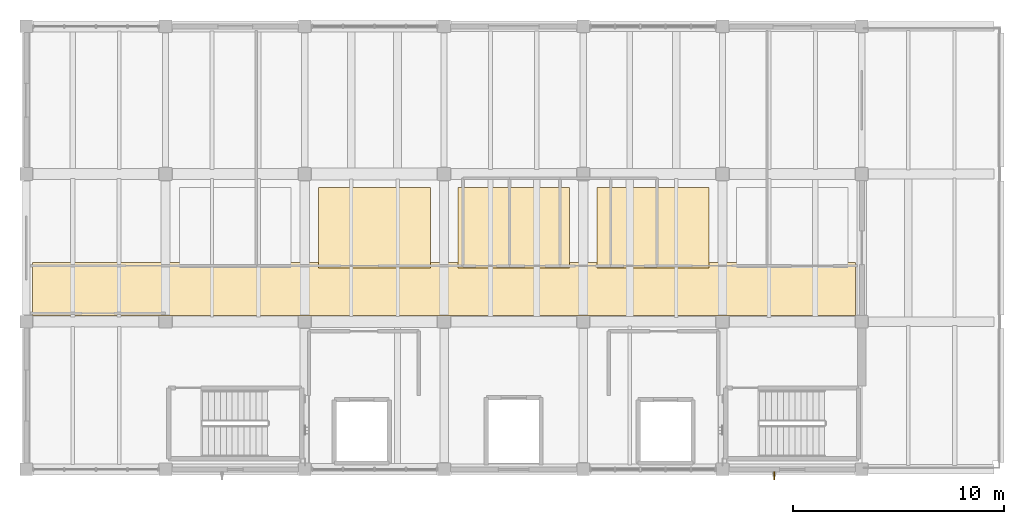
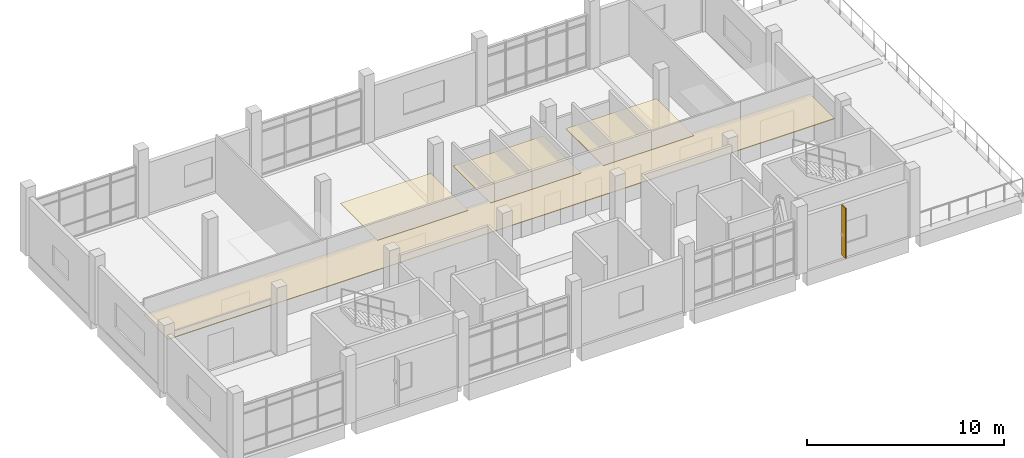
# One storey, part 13 of 14: 4 coverings, 1 shading device.
"""IFC4 building model written with IfcOpenShell, lengths in metres."""

from ifc_helpers import new_model, si_unit, direction, frame, origin, origin_2d, place, context, subcontext, project, spatial, polyline, rectangle, outline, extrude, material, layer, layer_set, material_profile, profile_set, type_object, element, save


model = new_model("IFC4")

# Units and contexts
model_context = context("Model", 3, precision=1e-05, world=origin(), true_north=direction((0.0, 1.0)))
body_context = subcontext(model_context, "Body", "Model", "MODEL_VIEW")
ifc_project = project(units=[si_unit("LENGTHUNIT", "METRE"), si_unit("AREAUNIT", "SQUARE_METRE"), si_unit("VOLUMEUNIT", "CUBIC_METRE"), si_unit("PLANEANGLEUNIT", "RADIAN"), si_unit("MASSUNIT", "GRAM", prefix="KILO")], contexts=[model_context])

# Site, building, storey
site_placement = place(None, origin())
site = spatial("IfcSite", under=ifc_project, at=site_placement, CompositionType="ELEMENT")
building_placement = place(site_placement, origin())
building = spatial("IfcBuilding", under=site, at=building_placement, Name="Ciguamira Faculty of Natural Sciences", CompositionType="ELEMENT")
storey_placement = place(building_placement, frame((0.0, 0.0, 29.39990234375)))
storey = spatial("IfcBuildingStorey", under=building, at=storey_placement, Name="L07", CompositionType="ELEMENT", Elevation=29.39990234375)

# Coverings
ifc_material_1 = material(Name="Perforated white acoustic ceiling")
ifc_layer = layer(ifc_material_1, 0.0400390625, Name="Perforated white acoustic ceiling")
ifc_layer_set = layer_set([ifc_layer], Name="Perforated white acoustic ceiling")
covering_type = type_object("IfcCoveringType", Name="AcousticCeiling_AC01", PredefinedType="CEILING", material=ifc_layer_set)
covering_1_placement = place(storey_placement, frame((0.0, 0.0, 2.760009765625)))
element("IfcCovering", 1, at=covering_1_placement, inside=storey, type_object=covering_type, Name="L07 corridor acoustic ceiling", PredefinedType="CEILING", context=body_context, shape_type="SweptSolid", body=[
    extrude(outline(polyline([(64.199951171875, 101.300048828125), (103.199951171875, 101.300048828125), (103.199951171875, 103.800048828125), (64.199951171875, 103.800048828125), (64.199951171875, 101.300048828125)])), origin(), (0.0, 0.0, 1.0), 0.0400390625),
])
covering_2_placement = place(storey_placement, frame((0.0, 0.0, 2.760009765625)))
element("IfcCovering", 2, at=covering_2_placement, inside=storey, type_object=covering_type, Name="L07 research bay 02 acoustic ceiling", PredefinedType="CEILING", context=body_context, shape_type="SweptSolid", body=[
    extrude(outline(polyline([(77.75, 103.550048828125), (83.050048828125, 103.550048828125), (83.050048828125, 107.35009765625), (77.75, 107.35009765625), (77.75, 103.550048828125)])), origin(), (0.0, 0.0, 1.0), 0.0400390625),
])
covering_3_placement = place(storey_placement, frame((0.0, 0.0, 2.760009765625)))
element("IfcCovering", 3, at=covering_3_placement, inside=storey, type_object=covering_type, Name="L07 research bay 03 acoustic ceiling", PredefinedType="CEILING", context=body_context, shape_type="SweptSolid", body=[
    extrude(outline(polyline([(84.35009765625, 103.550048828125), (89.64990234375, 103.550048828125), (89.64990234375, 107.35009765625), (84.35009765625, 107.35009765625), (84.35009765625, 103.550048828125)])), origin(), (0.0, 0.0, 1.0), 0.0400390625),
])
covering_4_placement = place(storey_placement, frame((0.0, 0.0, 2.760009765625)))
element("IfcCovering", 4, at=covering_4_placement, inside=storey, type_object=covering_type, Name="L07 research bay 04 acoustic ceiling", PredefinedType="CEILING", context=body_context, shape_type="SweptSolid", body=[
    extrude(outline(polyline([(90.949951171875, 103.550048828125), (96.25, 103.550048828125), (96.25, 107.35009765625), (90.949951171875, 107.35009765625), (90.949951171875, 103.550048828125)])), origin(), (0.0, 0.0, 1.0), 0.0400390625),
])

# Shading device
ifc_material_2 = material(Name="Anodized bronze sunshade fin")
ifc_material_profile = material_profile(ifc_material_2, rectangle(XDim=0.06494140625, YDim=0.3798828125, at=origin_2d()), Name="BRZ-FIN-65X380")
ifc_profile_set = profile_set([ifc_material_profile], Name="Anodized bronze sunshade fin")
shading_device_type = type_object("IfcShadingDeviceType", Name="SunFin_SF01", PredefinedType="USERDEFINED", material=ifc_profile_set)
shading_device_placement = place(storey_placement, frame((99.35009765625, 93.68994140625, 0.2001953125), z_axis=(0.0, 0.0, 1.0), x_axis=(1.0, 0.0, 0.0)))
element("IfcShadingDevice", 5, at=shading_device_placement, inside=storey, type_object=shading_device_type, Name="L07 bronze vertical sunshade fin 0034", ObjectType="SUNSHADE FIN", PredefinedType="USERDEFINED", context=body_context, shape_type="SweptSolid", body=[
    extrude(rectangle(XDim=0.06494140625, YDim=0.3798828125, at=origin_2d()), origin(), (0.0, 0.0, 1.0), 3.114990234375),
])

save(model, "model.ifc")
